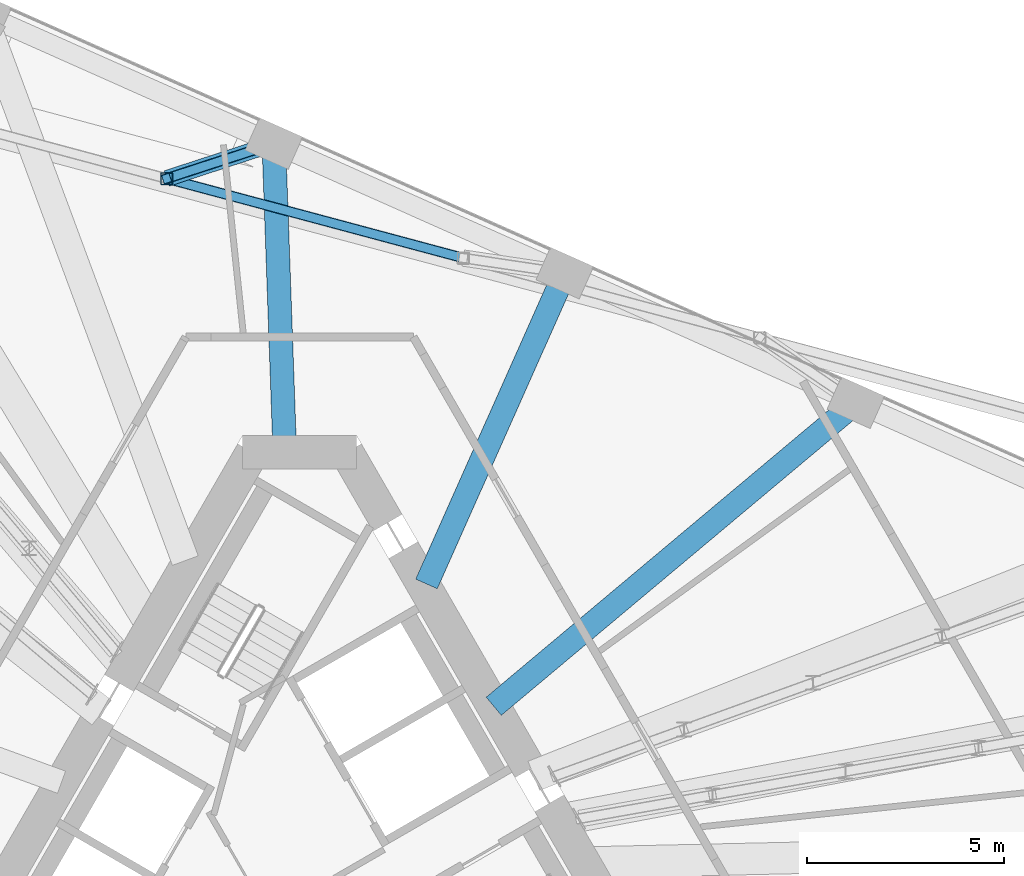
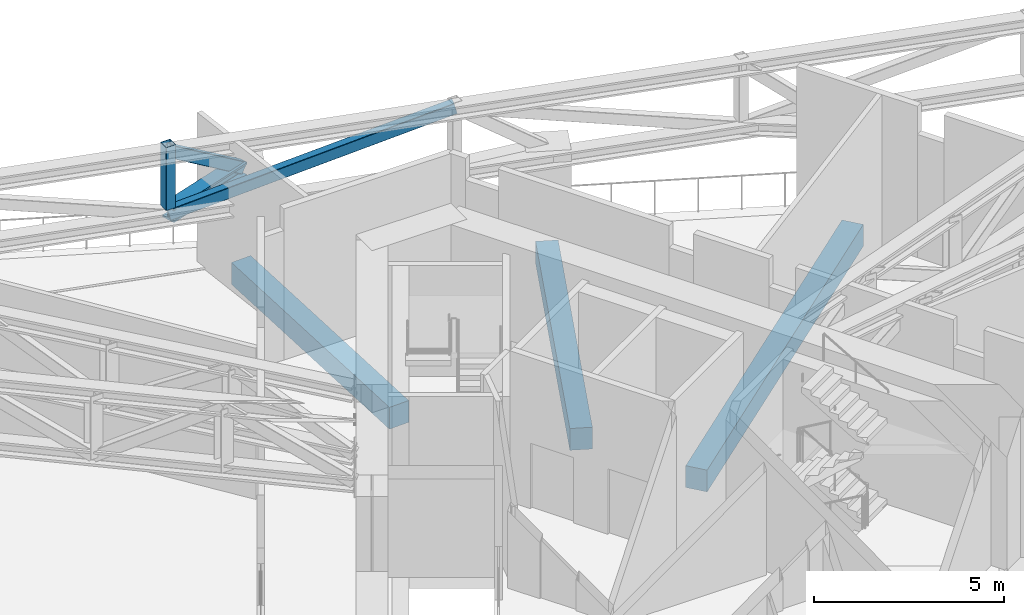
# One storey, part 10 of 26: 4 members, 3 beams.
"""IFC4 building model written with IfcOpenShell, lengths in metres."""

from ifc_helpers import new_model, si_unit, direction, frame, origin, origin_2d, place, context, subcontext, project, spatial, rectangle, hollow_rectangle, i_section, extrude, material, material_profile, profile_set, type_object, element, save


model = new_model("IFC4")

# Units and contexts
model_context = context("Model", 3, precision=1e-05, world=origin(), true_north=direction((0.0, 1.0)))
body_context = subcontext(model_context, "Body", "Model", "MODEL_VIEW")
ifc_project = project(units=[si_unit("LENGTHUNIT", "METRE"), si_unit("AREAUNIT", "SQUARE_METRE"), si_unit("VOLUMEUNIT", "CUBIC_METRE"), si_unit("PLANEANGLEUNIT", "RADIAN"), si_unit("MASSUNIT", "GRAM", prefix="KILO")], contexts=[model_context])

# Site, building, storey
site_placement = place(None, origin())
site = spatial("IfcSite", under=ifc_project, at=site_placement, CompositionType="ELEMENT")
building_placement = place(site_placement, origin())
building = spatial("IfcBuilding", under=site, at=building_placement, Name="Tramontana Tower", CompositionType="ELEMENT")
storey_placement = place(building_placement, frame((0.0, 0.0, 194.800048828125)))
storey = spatial("IfcBuildingStorey", under=building, at=storey_placement, Name="L45", CompositionType="ELEMENT", Elevation=194.800048828125)

# Members
ifc_material_1 = material(Name="Steel ASTM A500 Grade C", Category="steel")
ifc_material_profile_1 = material_profile(ifc_material_1, hollow_rectangle(XDim=0.3046875, YDim=0.3046875, WallThickness=0.01171875, InnerFilletRadius=0.01171875, OuterFilletRadius=0.023681640625, at=origin_2d()), Name="HSS12X12X1/2")
ifc_profile_set_1 = profile_set([ifc_material_profile_1], Name="Steel ASTM A500 Grade C")
member_type_1 = type_object("IfcMemberType", Name="Belt truss HSS12X12X1/2 post", PredefinedType="POST", material=ifc_profile_set_1)
member_1_placement = place(storey_placement, frame((-3.37451171875, 17.5205078125, 2.8349609375), z_axis=(0.0, 0.0, 1.0), x_axis=(1.0, 0.0, 0.0)))
element("IfcMember", 1, at=member_1_placement, inside=storey, type_object=member_type_1, Name="Belt truss post C5F14", PredefinedType="POST", context=body_context, shape_type="SweptSolid", body=[
    extrude(hollow_rectangle(XDim=0.3046875, YDim=0.3046875, WallThickness=0.01171875, InnerFilletRadius=0.01171875, OuterFilletRadius=0.023681640625, at=origin_2d()), origin(), (0.0, 0.0, 1.0), 2.014892578125),
])
ifc_material_2 = material(Name="Steel ASTM A500 Grade C", Category="steel")
ifc_material_profile_2 = material_profile(ifc_material_2, hollow_rectangle(XDim=0.25390625, YDim=0.355712890625, WallThickness=0.01171875, InnerFilletRadius=0.01171875, OuterFilletRadius=0.023681640625, at=origin_2d()), Name="HSS14X10X1/2")
ifc_profile_set_2 = profile_set([ifc_material_profile_2], Name="Steel ASTM A500 Grade C")
member_type_2 = type_object("IfcMemberType", Name="Belt truss HSS14X10X1/2 brace", PredefinedType="BRACE", material=ifc_profile_set_2)
member_2_placement = place(storey_placement, frame((4.154052734375, 15.503173828125, 4.632568359375), z_axis=(-0.935173482445, 0.250586583826, -0.250313646726), x_axis=(-0.258826373416, -0.965923862644, 0.0)))
element("IfcMember", 2, at=member_2_placement, inside=storey, type_object=member_type_2, Name="Belt truss diagonal S2.4", PredefinedType="BRACE", context=body_context, shape_type="SweptSolid", body=[
    extrude(hollow_rectangle(XDim=0.25390625, YDim=0.355712890625, WallThickness=0.01171875, InnerFilletRadius=0.01171875, OuterFilletRadius=0.023681640625, at=origin_2d()), origin(), (0.0, 0.0, 1.0), 8.050537109375),
])

# Beams
ifc_material_3 = material(Name="Concrete 40 MPa", Category="concrete")
ifc_material_profile_3 = material_profile(ifc_material_3, rectangle(XDim=0.60009765625, YDim=0.699951171875, at=origin_2d()), Name="RC GIRDER 600X700 40 MPa")
ifc_profile_set_3 = profile_set([ifc_material_profile_3], Name="Concrete 40 MPa")
beam_type = type_object("IfcBeamType", Name="RC GIRDER 600X700 40 MPa", PredefinedType="BEAM", material=ifc_profile_set_3)
beam_1_placement = place(storey_placement, frame((14.115478515625, 11.83154296875, -0.699951171875), z_axis=(-0.766377147971, -0.642390898961, 0.0), x_axis=(0.642390898961, -0.766377147971, 0.0)))
element("IfcBeam", 3, at=beam_1_placement, inside=storey, type_object=beam_type, Name="Radial girder C4F12 L45", PredefinedType="BEAM", context=body_context, shape_type="SweptSolid", body=[
    extrude(rectangle(XDim=0.60009765625, YDim=0.699951171875, at=origin_2d()), origin(), (0.0, 0.0, 1.0), 11.98974609375),
])
beam_2_placement = place(storey_placement, frame((6.7314453125, 15.119140625, -0.699951171875), z_axis=(-0.406736735655, -0.913545416424, 0.0), x_axis=(0.913545416424, -0.406736735655, 0.0)))
element("IfcBeam", 4, at=beam_2_placement, inside=storey, type_object=beam_type, Name="Radial girder C4F13 L45", PredefinedType="BEAM", context=body_context, shape_type="SweptSolid", body=[
    extrude(rectangle(XDim=0.60009765625, YDim=0.699951171875, at=origin_2d()), origin(), (0.0, 0.0, 1.0), 8.631591796875),
])
beam_3_placement = place(storey_placement, frame((-0.652587890625, 18.40673828125, -0.699951171875), z_axis=(0.035422608777, -0.999372422467, 0.0), x_axis=(0.999372422467, 0.035422608777, 0.0)))
element("IfcBeam", 5, at=beam_3_placement, inside=storey, type_object=beam_type, Name="Radial girder C4F14 L45", PredefinedType="BEAM", context=body_context, shape_type="SweptSolid", body=[
    extrude(rectangle(XDim=0.60009765625, YDim=0.699951171875, at=origin_2d()), origin(), (0.0, 0.0, 1.0), 7.83642578125),
])

# Members
ifc_material_4 = material(Name="Steel ASTM A500 Grade C", Category="steel")
ifc_material_profile_4 = material_profile(ifc_material_4, hollow_rectangle(XDim=0.25390625, YDim=0.355712890625, WallThickness=0.01171875, InnerFilletRadius=0.01171875, OuterFilletRadius=0.023681640625, at=origin_2d()), Name="HSS14X10X1/2")
ifc_profile_set_4 = profile_set([ifc_material_profile_4], Name="Steel ASTM A500 Grade C")
member_type_3 = type_object("IfcMemberType", Name="Transfer truss HSS14X10X1/2 brace", PredefinedType="BRACE", material=ifc_profile_set_4)
member_3_placement = place(storey_placement, frame((-0.652587890625, 18.40673828125, 2.617431640625), z_axis=(-0.777532279431, -0.253156531916, 0.575634714721), x_axis=(0.309593220768, -0.950869095961, 0.0)))
element("IfcMember", 6, at=member_3_placement, inside=storey, type_object=member_type_3, Name="Transfer truss strut C5F14 diagonal", PredefinedType="BRACE", context=body_context, shape_type="SweptSolid", body=[
    extrude(hollow_rectangle(XDim=0.25390625, YDim=0.355712890625, WallThickness=0.01171875, InnerFilletRadius=0.01171875, OuterFilletRadius=0.023681640625, at=origin_2d()), origin(), (0.0, 0.0, 1.0), 3.500732421875),
])
ifc_material_5 = material(Name="Steel ASTM A992 Grade 50", Category="steel")
ifc_material_profile_5 = material_profile(ifc_material_5, i_section(OverallWidth=0.412841796875, OverallDepth=0.43505859375, WebThickness=0.03662109375, FlangeThickness=0.05712890625, FilletRadius=0.01513671875, at=origin_2d()), Name="W14X311")
ifc_profile_set_5 = profile_set([ifc_material_profile_5], Name="Steel ASTM A992 Grade 50")
member_type_4 = type_object("IfcMemberType", Name="Transfer truss W14X311 strut", PredefinedType="STRUT", material=ifc_profile_set_5)
member_4_placement = place(storey_placement, frame((-0.652587890625, 18.40673828125, 2.617431640625), z_axis=(-0.950869095961, -0.309593220768, 0.0), x_axis=(0.309593220768, -0.950869095961, 0.0)))
element("IfcMember", 7, at=member_4_placement, inside=storey, type_object=member_type_4, Name="Transfer truss strut C5F14 bottom", PredefinedType="STRUT", context=body_context, shape_type="SweptSolid", body=[
    extrude(i_section(OverallWidth=0.412841796875, OverallDepth=0.43505859375, WebThickness=0.03662109375, FlangeThickness=0.05712890625, FilletRadius=0.01513671875, at=origin_2d()), origin(), (0.0, 0.0, 1.0), 2.862548828125),
])

save(model, "model.ifc")
